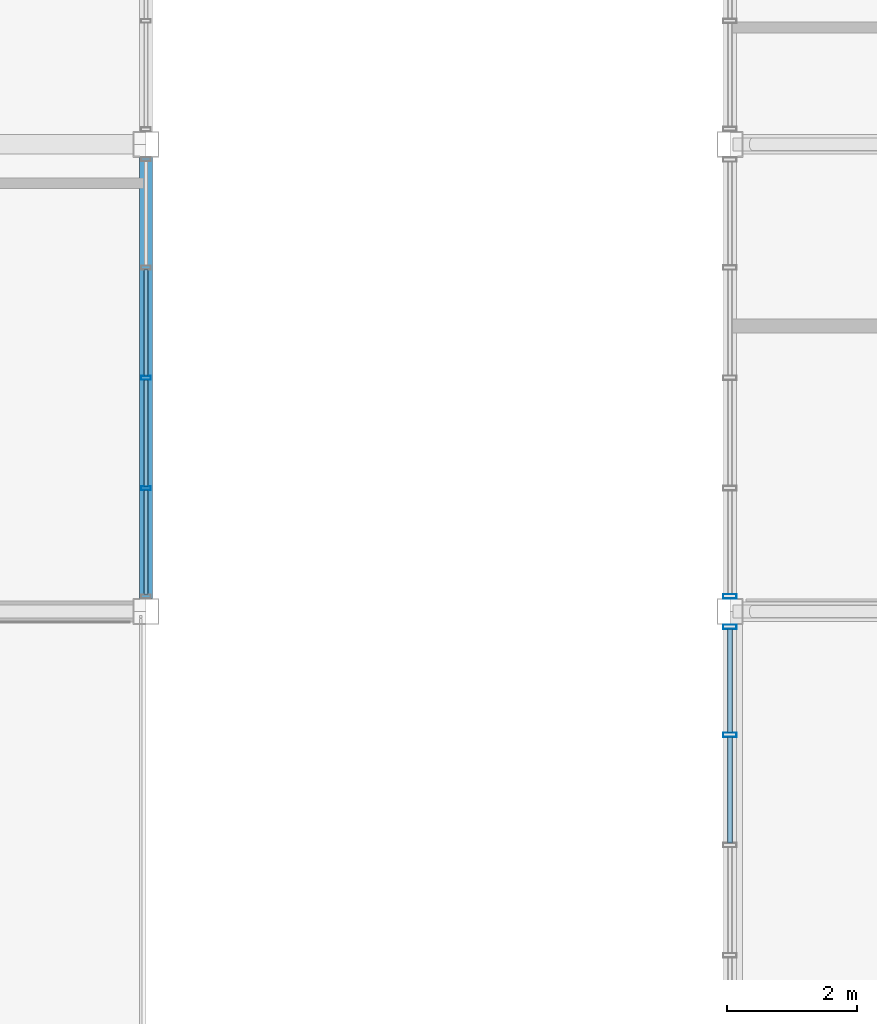
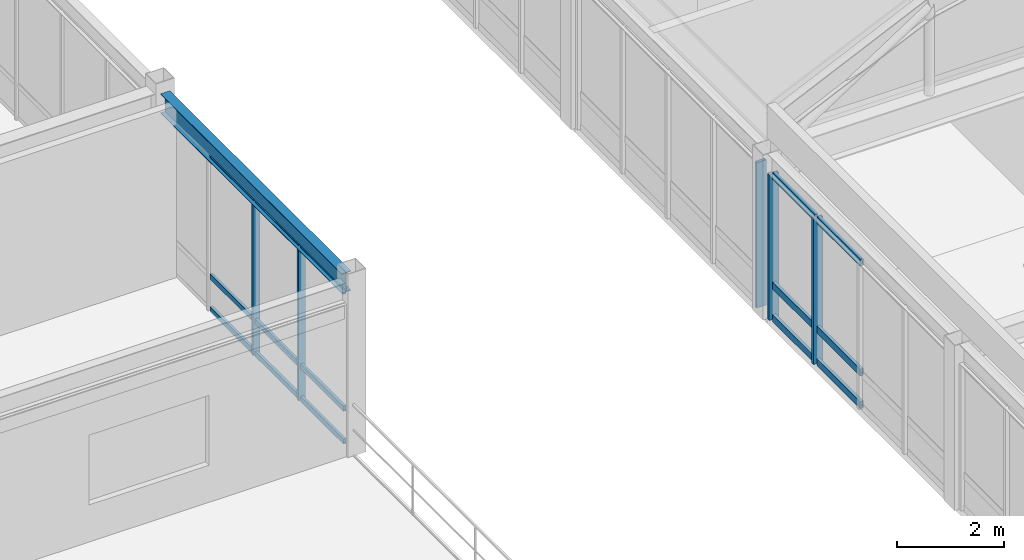
# One storey, part 18 of 106: 20 members, 1 beam, 3 elements without a shape of their own.
"""IFC4 building model written with IfcOpenShell, lengths in metres."""

import ifcopenshell
import ifcopenshell.guid

model = None  # the IFC model being written
_history = None  # IfcOwnerHistory: only IFC2X3 demands one
_inside = {}  # id of a spatial element -> (the spatial element, [elements in it])
_under = {}  # id of a project, library or spatial element -> (it, [spatial elements below it])
_declared = {}  # id of a project -> (the project, [libraries it declares])
_typed = {}  # id of a type object -> (the type object, [elements of that type])
_made_of = {}  # id of a material, layer set ... -> (it, [elements and type objects made of it])


def new_model(schema):
    """Start an empty IFC model of exactly this schema.

    Asked for "IFC4X3", IfcOpenShell would pick the latest addendum, in which some entities
    have other attributes; the version numbers below select the first issue.
    IFC2X3 requires an IfcOwnerHistory on every rooted entity: one is made here for all.
    """
    global model, _history
    if schema == "IFC4X3":
        model = ifcopenshell.file(schema_version=(4, 3, 0, 0))
    else:
        model = ifcopenshell.file(schema=schema)
    _inside.clear()
    _under.clear()
    _declared.clear()
    _typed.clear()
    _made_of.clear()
    _history = None
    if model.schema == "IFC2X3":
        org = make("IfcOrganization", Name="unknown")
        user = make(
            "IfcPersonAndOrganization",
            ThePerson=make("IfcPerson", FamilyName="unknown"),
            TheOrganization=org,
        )
        app = make(
            "IfcApplication",
            ApplicationDeveloper=org,
            Version="unknown",
            ApplicationFullName="unknown",
            ApplicationIdentifier="unknown",
        )
        _history = make(
            "IfcOwnerHistory",
            OwningUser=user,
            OwningApplication=app,
            ChangeAction="ADDED",
            CreationDate=0,
        )
    return model


def make(cls, **values):
    """One entity of the class cls with the attributes given. An attribute that is None is left unset."""
    return model.create_entity(
        cls, **{name: value for name, value in values.items() if value is not None}
    )


def rooted(cls, **values):
    """An entity with a GlobalId (a new one), such as an element, a storey or a relation."""
    return make(cls, GlobalId=ifcopenshell.guid.new(), OwnerHistory=_history, **values)


def si_unit(unit_type, name, prefix=None):
    """IfcSIUnit, for example si_unit("LENGTHUNIT", "METRE", prefix="MILLI")."""
    return make("IfcSIUnit", UnitType=unit_type, Prefix=prefix, Name=name)


def assignment(units):
    """IfcUnitAssignment: the units of a project."""
    return None if units is None else make("IfcUnitAssignment", Units=units)


def point(xyz):
    """IfcCartesianPoint."""
    return None if xyz is None else make("IfcCartesianPoint", Coordinates=xyz)


def direction(xyz):
    """IfcDirection."""
    return None if xyz is None else make("IfcDirection", DirectionRatios=xyz)


def frame(location, z_axis=None, x_axis=None):
    """IfcAxis2Placement3D, a coordinate frame: its origin and axes. An axis left out is left unset."""
    return make(
        "IfcAxis2Placement3D",
        Location=point(location),
        Axis=direction(z_axis),
        RefDirection=direction(x_axis),
    )


def frame_2d(location, x_axis=None):
    """IfcAxis2Placement2D, a coordinate frame in the plane: its origin and x axis."""
    return make(
        "IfcAxis2Placement2D", Location=point(location), RefDirection=direction(x_axis)
    )


def origin():
    """The frame at (0, 0, 0) with its axes left unset."""
    return frame((0.0, 0.0, 0.0))


def origin_2d():
    """The frame at (0, 0) in the plane with its x axis left unset."""
    return frame_2d((0.0, 0.0))


def place(relative_to, where):
    """IfcLocalPlacement: puts the frame where relative to a parent placement (None: the world)."""
    return make(
        "IfcLocalPlacement", PlacementRelTo=relative_to, RelativePlacement=where
    )


def context(
    kind, dimensions, precision=None, world=None, true_north=None, identifier=None
):
    """IfcGeometricRepresentationContext, for example the 3D "Model" context."""
    return make(
        "IfcGeometricRepresentationContext",
        ContextIdentifier=identifier,
        ContextType=kind,
        CoordinateSpaceDimension=dimensions,
        Precision=precision,
        WorldCoordinateSystem=world,
        TrueNorth=true_north,
    )


def subcontext(parent, identifier, kind, view, scale=None):
    """IfcGeometricRepresentationSubContext, for example "Body" below "Model"."""
    return make(
        "IfcGeometricRepresentationSubContext",
        ContextIdentifier=identifier,
        ContextType=kind,
        ParentContext=parent,
        TargetScale=scale,
        TargetView=view,
    )


def project(units=None, contexts=None):
    """IfcProject with its units and contexts."""
    return rooted(
        "IfcProject",
        Name="project",
        RepresentationContexts=contexts,
        UnitsInContext=assignment(units),
    )


def spatial(cls, under=None, at=None, **own):
    """A site, building, storey or space (cls), placed at a placement, below another one or the project."""
    s = rooted(cls, ObjectPlacement=at, **own)
    if under is not None:
        _under.setdefault(under.id(), (under, []))[1].append(s)
    return s


def profile(cls, at=None, kind="AREA", **sizes):
    """A parametric profile (cls). Its sizes go by their IFC names, for example OverallWidth=200.0."""
    return make(cls, ProfileType=kind, Position=at, **sizes)


def hollow_rectangle(**sizes):
    """IfcRectangleHollowProfileDef."""
    return profile("IfcRectangleHollowProfileDef", **sizes)


def i_section(**sizes):
    """IfcIShapeProfileDef."""
    return profile("IfcIShapeProfileDef", **sizes)


def extrude(swept, where, along, depth):
    """IfcExtrudedAreaSolid: the profile swept, set in the frame where, extruded along a direction by depth."""
    return make(
        "IfcExtrudedAreaSolid",
        SweptArea=swept,
        Position=where,
        ExtrudedDirection=direction(along),
        Depth=depth,
    )


def shape(context_of_items, identifier, shape_type, items):
    """IfcShapeRepresentation: the items that make up one representation, for example the "Body"."""
    return make(
        "IfcShapeRepresentation",
        ContextOfItems=context_of_items,
        RepresentationIdentifier=identifier,
        RepresentationType=shape_type,
        Items=items,
    )


def material(Name=None, Category=None):
    """IfcMaterial."""
    return make("IfcMaterial", Name=Name, Category=Category)


def material_profile(
    of_material, cross_section, Name=None, Category=None, Priority=None
):
    """IfcMaterialProfile: a cross section and its material."""
    return make(
        "IfcMaterialProfile",
        Name=Name,
        Material=of_material,
        Profile=cross_section,
        Priority=Priority,
        Category=Category,
    )


def profile_set(profiles, Name=None, composite=None):
    """IfcMaterialProfileSet."""
    return make(
        "IfcMaterialProfileSet",
        Name=Name,
        MaterialProfiles=profiles,
        CompositeProfile=composite,
    )


def made_of(thing, what):
    """Note that an element or type object is made of a material, layer set ...; save() writes the relation."""
    if what is not None:
        _made_of.setdefault(what.id(), (what, []))[1].append(thing)
    return thing


def type_object(cls, material=None, **own):
    """A type object (cls), such as IfcWallType, which elements share."""
    return made_of(rooted(cls, **own), material)


def element(
    cls,
    number,
    at=None,
    inside=None,
    cuts=None,
    type_object=None,
    material=None,
    context=None,
    identifier="Body",
    shape_type=None,
    held_by="IfcProductDefinitionShape",
    body=None,
    shapes=None,
    **own,
):
    """One element of the class cls, such as IfcWall. Its Tag is "e" and its number.

    at: its placement. inside: the storey or other place that contains it. cuts: it is an
    opening in that element (IfcRelVoidsElement). A single representation is given by context,
    identifier, shape_type and body (its items); several are given by shapes. held_by: the class
    of the entity that holds the representations. save() writes the other relations.
    """
    e = rooted(cls, Tag="e%d" % number, ObjectPlacement=at, **own)
    if body is not None:
        shapes = [shape(context, identifier, shape_type, body)]
    if shapes is not None:
        e.Representation = make(held_by, Representations=shapes)
    if inside is not None:
        _inside.setdefault(inside.id(), (inside, []))[1].append(e)
    if cuts is not None:
        rooted(
            "IfcRelVoidsElement", RelatingBuildingElement=cuts, RelatedOpeningElement=e
        )
    if type_object is not None:
        _typed.setdefault(type_object.id(), (type_object, []))[1].append(e)
    return made_of(e, material)


def aggregate(whole, parts):
    """IfcRelAggregates: a whole, such as a stair, and the parts it consists of."""
    return rooted("IfcRelAggregates", RelatingObject=whole, RelatedObjects=parts)


def save(model, path):
    """Write the relations noted so far, then the file.

    IfcRelAggregates (storeys below a building ...), IfcRelContainedInSpatialStructure (elements
    in a storey), IfcRelDefinesByType, IfcRelAssociatesMaterial and IfcRelDeclares: one each for
    every whole, place, type object, material and project.
    """
    for whole, parts in _under.values():
        aggregate(whole, parts)
    for where, things in _inside.values():
        rooted(
            "IfcRelContainedInSpatialStructure",
            RelatedElements=things,
            RelatingStructure=where,
        )
    for kind, things in _typed.values():
        rooted("IfcRelDefinesByType", RelatedObjects=things, RelatingType=kind)
    for what, things in _made_of.values():
        rooted("IfcRelAssociatesMaterial", RelatedObjects=things, RelatingMaterial=what)
    for by, libraries in _declared.values():
        rooted("IfcRelDeclares", RelatingContext=by, RelatedDefinitions=libraries)
    model.write(path)


model = new_model("IFC4")

# Units and contexts
model_context = context("Model", 3, precision=1e-05, world=origin(), true_north=direction((0.0, 1.0)))
body_context = subcontext(model_context, "Body", "Model", "MODEL_VIEW")
ifc_project = project(units=[si_unit("LENGTHUNIT", "METRE"), si_unit("AREAUNIT", "SQUARE_METRE"), si_unit("VOLUMEUNIT", "CUBIC_METRE"), si_unit("PLANEANGLEUNIT", "RADIAN"), si_unit("MASSUNIT", "GRAM", prefix="KILO")], contexts=[model_context])

# Site, building, storey
site_placement = place(None, origin())
site = spatial("IfcSite", under=ifc_project, at=site_placement, CompositionType="ELEMENT")
building_placement = place(site_placement, origin())
building = spatial("IfcBuilding", under=site, at=building_placement, Name="Kazanami Central Library", CompositionType="ELEMENT")
storey_placement = place(building_placement, frame((0.0, 0.0, 12.800048828125)))
storey = spatial("IfcBuildingStorey", under=building, at=storey_placement, Name="L04", CompositionType="ELEMENT", Elevation=12.800048828125)

# Beam
ifc_material_1 = material(Name="Steel SN490B (325 MPa)", Category="steel")
ifc_material_profile_1 = material_profile(ifc_material_1, i_section(OverallWidth=0.199951171875, OverallDepth=0.449951171875, WebThickness=0.009033203125, FlangeThickness=0.013916015625, at=origin_2d()), Name="H-450x200x9x14")
ifc_profile_set_1 = profile_set([ifc_material_profile_1], Name="Steel SN490B (325 MPa)")
beam_type = type_object("IfcBeamType", Name="BM-SP-2", PredefinedType="SPANDREL", material=ifc_profile_set_1)
beam_placement = place(storey_placement, frame((36.0, 64.998046875, 3.71484375), z_axis=(0.0, 1.0, 0.0), x_axis=(-1.0, 0.0, 0.0)))
element("IfcBeam", 1, at=beam_placement, inside=storey, type_object=beam_type, Name="Girder SP-2 L04 5/K-L", PredefinedType="SPANDREL", context=body_context, shape_type="SweptSolid", body=[
    extrude(i_section(OverallWidth=0.199951171875, OverallDepth=0.449951171875, WebThickness=0.009033203125, FlangeThickness=0.013916015625, at=origin_2d()), origin(), (0.0, 0.0, 1.0), 6.803955078125),
])

# Curtain wall, members
ifc_material_2 = material(Name="Acid-Etched Low-E Laminated Glass", Category="glass")
curtain_wall_type_1 = type_object("IfcCurtainWallType", Name="CW-6800x3330-M180", PredefinedType="USERDEFINED", material=ifc_material_2)
curtain_wall_1_placement = place(storey_placement, origin())
curtain_wall_1 = element("IfcCurtainWall", 2, at=curtain_wall_1_placement, inside=storey, type_object=curtain_wall_type_1, Name="Covered Link Bridge Curtain Wall CW-44 L04 W-6-08", ObjectType="UNITISED CURTAIN WALL", PredefinedType="USERDEFINED")
ifc_material_3 = material(Name="Anodised Aluminium A6063-T5", Category="aluminium")
ifc_material_profile_2 = material_profile(ifc_material_3, hollow_rectangle(XDim=0.070068359375, YDim=0.2099609375, WallThickness=0.0048828125, at=origin_2d()), Name="ALU-MULL-70x210x5")
ifc_profile_set_2 = profile_set([ifc_material_profile_2], Name="Anodised Aluminium A6063-T5")
member_type_1 = type_object("IfcMemberType", Name="MEM-CW-M1", PredefinedType="MULLION", material=ifc_profile_set_2)
member_1_placement = place(storey_placement, frame((45.0, 62.89990234375, 0.0), z_axis=(0.0, 0.0, 1.0), x_axis=(0.0, 1.0, 0.0)))
member_1 = element("IfcMember", 3, at=member_1_placement, type_object=member_type_1, Name="CW-44 mullion 4", PredefinedType="MULLION", context=body_context, shape_type="SweptSolid", body=[
    extrude(hollow_rectangle(XDim=0.070068359375, YDim=0.2099609375, WallThickness=0.0048828125, at=origin_2d()), origin(), (0.0, 0.0, 1.0), 3.329833984375),
])
member_2_placement = place(storey_placement, frame((45.0, 64.56494140625, 0.0), z_axis=(0.0, 0.0, 1.0), x_axis=(0.0, 1.0, 0.0)))
member_2 = element("IfcMember", 4, at=member_2_placement, type_object=member_type_1, Name="CW-44 mullion 5", PredefinedType="MULLION", context=body_context, shape_type="SweptSolid", body=[
    extrude(hollow_rectangle(XDim=0.070068359375, YDim=0.2099609375, WallThickness=0.0048828125, at=origin_2d()), origin(), (0.0, 0.0, 1.0), 3.329833984375),
])

# Curtain wall, member
curtain_wall_2_placement = place(storey_placement, origin())
curtain_wall_2 = element("IfcCurtainWall", 5, at=curtain_wall_2_placement, inside=storey, type_object=curtain_wall_type_1, Name="Covered Link Bridge Curtain Wall CW-44 L04 W-6-09", ObjectType="UNITISED CURTAIN WALL", PredefinedType="USERDEFINED")
member_3_placement = place(storey_placement, frame((45.0, 65.034912109375, 0.0), z_axis=(0.0, 0.0, 1.0), x_axis=(0.0, 1.0, 0.0)))
member_3 = element("IfcMember", 6, at=member_3_placement, type_object=member_type_1, Name="CW-44 mullion 1", PredefinedType="MULLION", context=body_context, shape_type="SweptSolid", body=[
    extrude(hollow_rectangle(XDim=0.070068359375, YDim=0.2099609375, WallThickness=0.0048828125, at=origin_2d()), origin(), (0.0, 0.0, 1.0), 3.329833984375),
])
aggregate(curtain_wall_2, [member_3])

# Curtain wall, members
curtain_wall_type_2 = type_object("IfcCurtainWallType", Name="CW-6800x3490-M180", PredefinedType="USERDEFINED", material=ifc_material_2)
curtain_wall_3_placement = place(storey_placement, origin())
curtain_wall_3 = element("IfcCurtainWall", 7, at=curtain_wall_3_placement, inside=storey, type_object=curtain_wall_type_2, Name="Covered Link Bridge Curtain Wall CW-43 L04 E-5-09", ObjectType="UNITISED CURTAIN WALL", PredefinedType="USERDEFINED")
ifc_material_profile_3 = material_profile(ifc_material_3, hollow_rectangle(XDim=0.06005859375, YDim=0.14990234375, WallThickness=0.00390625, at=origin_2d()), Name="ALU-MULL-60x150x4")
ifc_profile_set_3 = profile_set([ifc_material_profile_3], Name="Anodised Aluminium A6063-T5")
member_type_2 = type_object("IfcMemberType", Name="MEM-CW-M3", PredefinedType="MULLION", material=ifc_profile_set_3)
member_4_placement = place(storey_placement, frame((36.0, 68.39990234375, 0.0), z_axis=(0.0, 0.0, 1.0), x_axis=(0.0, -1.0, 0.0)))
member_4 = element("IfcMember", 8, at=member_4_placement, type_object=member_type_2, Name="CW-43 mullion 3", PredefinedType="MULLION", context=body_context, shape_type="SweptSolid", body=[
    extrude(hollow_rectangle(XDim=0.06005859375, YDim=0.14990234375, WallThickness=0.00390625, at=origin_2d()), origin(), (0.0, 0.0, 1.0), 3.489990234375),
])
member_5_placement = place(storey_placement, frame((36.0, 66.699951171875, 0.0), z_axis=(0.0, 0.0, 1.0), x_axis=(0.0, -1.0, 0.0)))
member_5 = element("IfcMember", 9, at=member_5_placement, type_object=member_type_2, Name="CW-43 mullion 4", PredefinedType="MULLION", context=body_context, shape_type="SweptSolid", body=[
    extrude(hollow_rectangle(XDim=0.06005859375, YDim=0.14990234375, WallThickness=0.00390625, at=origin_2d()), origin(), (0.0, 0.0, 1.0), 3.489990234375),
])

# Member
ifc_material_profile_4 = material_profile(ifc_material_3, hollow_rectangle(XDim=0.070068359375, YDim=0.159912109375, WallThickness=0.00390625, at=origin_2d()), Name="ALU-TRAN-70x160x4")
ifc_profile_set_4 = profile_set([ifc_material_profile_4], Name="Anodised Aluminium A6063-T5")
member_type_3 = type_object("IfcMemberType", Name="MEM-CW-T1", PredefinedType="USERDEFINED", material=ifc_profile_set_4)
member_6_placement = place(storey_placement, frame((45.0, 61.235107421875, 0.034912109375), z_axis=(0.0, 1.0, 0.0), x_axis=(-1.0, 0.0, 0.0)))
member_6 = element("IfcMember", 10, at=member_6_placement, type_object=member_type_3, Name="CW-44 transom 3.1", ObjectType="TRANSOM", PredefinedType="USERDEFINED", context=body_context, shape_type="SweptSolid", body=[
    extrude(hollow_rectangle(XDim=0.070068359375, YDim=0.159912109375, WallThickness=0.00390625, at=origin_2d()), origin(), (0.0, 0.0, 1.0), 1.6298828125),
])

member_7_placement = place(storey_placement, frame((45.0, 61.235107421875, 0.780029296875), z_axis=(0.0, 1.0, 0.0), x_axis=(-1.0, 0.0, 0.0)))
member_7 = element("IfcMember", 11, at=member_7_placement, type_object=member_type_3, Name="CW-44 transom 3.2", ObjectType="TRANSOM", PredefinedType="USERDEFINED", context=body_context, shape_type="SweptSolid", body=[
    extrude(hollow_rectangle(XDim=0.070068359375, YDim=0.159912109375, WallThickness=0.00390625, at=origin_2d()), origin(), (0.0, 0.0, 1.0), 1.6298828125),
])

member_8_placement = place(storey_placement, frame((45.0, 61.235107421875, 3.294921875), z_axis=(0.0, 1.0, 0.0), x_axis=(-1.0, 0.0, 0.0)))
member_8 = element("IfcMember", 12, at=member_8_placement, type_object=member_type_3, Name="CW-44 transom 3.3", ObjectType="TRANSOM", PredefinedType="USERDEFINED", context=body_context, shape_type="SweptSolid", body=[
    extrude(hollow_rectangle(XDim=0.070068359375, YDim=0.159912109375, WallThickness=0.00390625, at=origin_2d()), origin(), (0.0, 0.0, 1.0), 1.6298828125),
])

member_9_placement = place(storey_placement, frame((45.0, 62.93505859375, 0.034912109375), z_axis=(0.0, 1.0, 0.0), x_axis=(-1.0, 0.0, 0.0)))
member_9 = element("IfcMember", 13, at=member_9_placement, type_object=member_type_3, Name="CW-44 transom 4.1", ObjectType="TRANSOM", PredefinedType="USERDEFINED", context=body_context, shape_type="SweptSolid", body=[
    extrude(hollow_rectangle(XDim=0.070068359375, YDim=0.159912109375, WallThickness=0.00390625, at=origin_2d()), origin(), (0.0, 0.0, 1.0), 1.594970703125),
])

member_10_placement = place(storey_placement, frame((45.0, 62.93505859375, 0.780029296875), z_axis=(0.0, 1.0, 0.0), x_axis=(-1.0, 0.0, 0.0)))
member_10 = element("IfcMember", 14, at=member_10_placement, type_object=member_type_3, Name="CW-44 transom 4.2", ObjectType="TRANSOM", PredefinedType="USERDEFINED", context=body_context, shape_type="SweptSolid", body=[
    extrude(hollow_rectangle(XDim=0.070068359375, YDim=0.159912109375, WallThickness=0.00390625, at=origin_2d()), origin(), (0.0, 0.0, 1.0), 1.594970703125),
])

member_11_placement = place(storey_placement, frame((45.0, 62.93505859375, 3.294921875), z_axis=(0.0, 1.0, 0.0), x_axis=(-1.0, 0.0, 0.0)))
member_11 = element("IfcMember", 15, at=member_11_placement, type_object=member_type_3, Name="CW-44 transom 4.3", ObjectType="TRANSOM", PredefinedType="USERDEFINED", context=body_context, shape_type="SweptSolid", body=[
    extrude(hollow_rectangle(XDim=0.070068359375, YDim=0.159912109375, WallThickness=0.00390625, at=origin_2d()), origin(), (0.0, 0.0, 1.0), 1.594970703125),
])

aggregate(curtain_wall_1, [member_1, member_2, member_6, member_7, member_8, member_9, member_10, member_11])

ifc_material_profile_5 = material_profile(ifc_material_3, hollow_rectangle(XDim=0.06005859375, YDim=0.1201171875, WallThickness=0.00341796875, at=origin_2d()), Name="ALU-TRAN-60x120x3.5")
ifc_profile_set_5 = profile_set([ifc_material_profile_5], Name="Anodised Aluminium A6063-T5")
member_type_4 = type_object("IfcMemberType", Name="MEM-CW-T3", PredefinedType="USERDEFINED", material=ifc_profile_set_5)
member_12_placement = place(storey_placement, frame((36.0, 70.070068359375, 0.030029296875), z_axis=(0.0, -1.0, 0.0), x_axis=(1.0, 0.0, 0.0)))
member_12 = element("IfcMember", 16, at=member_12_placement, type_object=member_type_4, Name="CW-43 transom 2.1", ObjectType="TRANSOM", PredefinedType="USERDEFINED", context=body_context, shape_type="SweptSolid", body=[
    extrude(hollow_rectangle(XDim=0.06005859375, YDim=0.1201171875, WallThickness=0.00341796875, at=origin_2d()), origin(), (0.0, 0.0, 1.0), 1.64013671875),
])

member_13_placement = place(storey_placement, frame((36.0, 70.070068359375, 0.780029296875), z_axis=(0.0, -1.0, 0.0), x_axis=(1.0, 0.0, 0.0)))
member_13 = element("IfcMember", 17, at=member_13_placement, type_object=member_type_4, Name="CW-43 transom 2.2", ObjectType="TRANSOM", PredefinedType="USERDEFINED", context=body_context, shape_type="SweptSolid", body=[
    extrude(hollow_rectangle(XDim=0.06005859375, YDim=0.1201171875, WallThickness=0.00341796875, at=origin_2d()), origin(), (0.0, 0.0, 1.0), 1.64013671875),
])

member_14_placement = place(storey_placement, frame((36.0, 70.070068359375, 3.4599609375), z_axis=(0.0, -1.0, 0.0), x_axis=(1.0, 0.0, 0.0)))
member_14 = element("IfcMember", 18, at=member_14_placement, type_object=member_type_4, Name="CW-43 transom 2.3", ObjectType="TRANSOM", PredefinedType="USERDEFINED", context=body_context, shape_type="SweptSolid", body=[
    extrude(hollow_rectangle(XDim=0.06005859375, YDim=0.1201171875, WallThickness=0.00341796875, at=origin_2d()), origin(), (0.0, 0.0, 1.0), 1.64013671875),
])

member_15_placement = place(storey_placement, frame((36.0, 68.3701171875, 0.030029296875), z_axis=(0.0, -1.0, 0.0), x_axis=(1.0, 0.0, 0.0)))
member_15 = element("IfcMember", 19, at=member_15_placement, type_object=member_type_4, Name="CW-43 transom 3.1", ObjectType="TRANSOM", PredefinedType="USERDEFINED", context=body_context, shape_type="SweptSolid", body=[
    extrude(hollow_rectangle(XDim=0.06005859375, YDim=0.1201171875, WallThickness=0.00341796875, at=origin_2d()), origin(), (0.0, 0.0, 1.0), 1.64013671875),
])

member_16_placement = place(storey_placement, frame((36.0, 68.3701171875, 0.780029296875), z_axis=(0.0, -1.0, 0.0), x_axis=(1.0, 0.0, 0.0)))
member_16 = element("IfcMember", 20, at=member_16_placement, type_object=member_type_4, Name="CW-43 transom 3.2", ObjectType="TRANSOM", PredefinedType="USERDEFINED", context=body_context, shape_type="SweptSolid", body=[
    extrude(hollow_rectangle(XDim=0.06005859375, YDim=0.1201171875, WallThickness=0.00341796875, at=origin_2d()), origin(), (0.0, 0.0, 1.0), 1.64013671875),
])

member_17_placement = place(storey_placement, frame((36.0, 68.3701171875, 3.4599609375), z_axis=(0.0, -1.0, 0.0), x_axis=(1.0, 0.0, 0.0)))
member_17 = element("IfcMember", 21, at=member_17_placement, type_object=member_type_4, Name="CW-43 transom 3.3", ObjectType="TRANSOM", PredefinedType="USERDEFINED", context=body_context, shape_type="SweptSolid", body=[
    extrude(hollow_rectangle(XDim=0.06005859375, YDim=0.1201171875, WallThickness=0.00341796875, at=origin_2d()), origin(), (0.0, 0.0, 1.0), 1.64013671875),
])

member_18_placement = place(storey_placement, frame((36.0, 66.669921875, 0.030029296875), z_axis=(0.0, -1.0, 0.0), x_axis=(1.0, 0.0, 0.0)))
member_18 = element("IfcMember", 22, at=member_18_placement, type_object=member_type_4, Name="CW-43 transom 4.1", ObjectType="TRANSOM", PredefinedType="USERDEFINED", context=body_context, shape_type="SweptSolid", body=[
    extrude(hollow_rectangle(XDim=0.06005859375, YDim=0.1201171875, WallThickness=0.00341796875, at=origin_2d()), origin(), (0.0, 0.0, 1.0), 1.60986328125),
])

member_19_placement = place(storey_placement, frame((36.0, 66.669921875, 0.780029296875), z_axis=(0.0, -1.0, 0.0), x_axis=(1.0, 0.0, 0.0)))
member_19 = element("IfcMember", 23, at=member_19_placement, type_object=member_type_4, Name="CW-43 transom 4.2", ObjectType="TRANSOM", PredefinedType="USERDEFINED", context=body_context, shape_type="SweptSolid", body=[
    extrude(hollow_rectangle(XDim=0.06005859375, YDim=0.1201171875, WallThickness=0.00341796875, at=origin_2d()), origin(), (0.0, 0.0, 1.0), 1.60986328125),
])

member_20_placement = place(storey_placement, frame((36.0, 66.669921875, 3.4599609375), z_axis=(0.0, -1.0, 0.0), x_axis=(1.0, 0.0, 0.0)))
member_20 = element("IfcMember", 24, at=member_20_placement, type_object=member_type_4, Name="CW-43 transom 4.3", ObjectType="TRANSOM", PredefinedType="USERDEFINED", context=body_context, shape_type="SweptSolid", body=[
    extrude(hollow_rectangle(XDim=0.06005859375, YDim=0.1201171875, WallThickness=0.00341796875, at=origin_2d()), origin(), (0.0, 0.0, 1.0), 1.60986328125),
])

aggregate(curtain_wall_3, [member_4, member_5, member_12, member_13, member_14, member_15, member_16, member_17, member_18, member_19, member_20])

save(model, "model.ifc")
